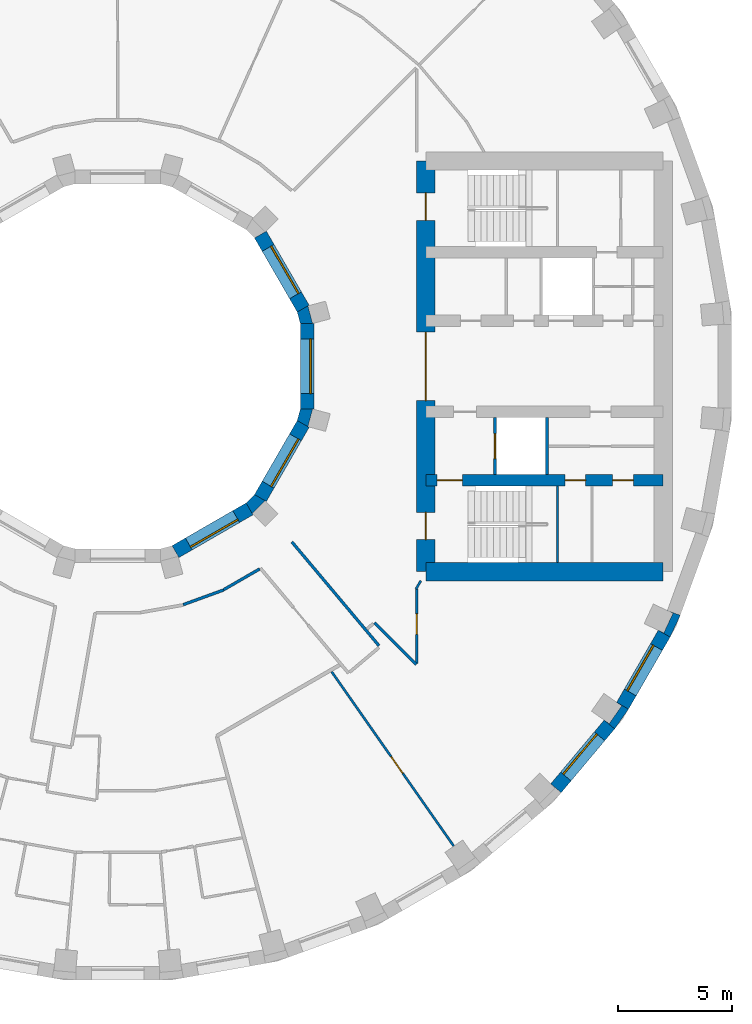
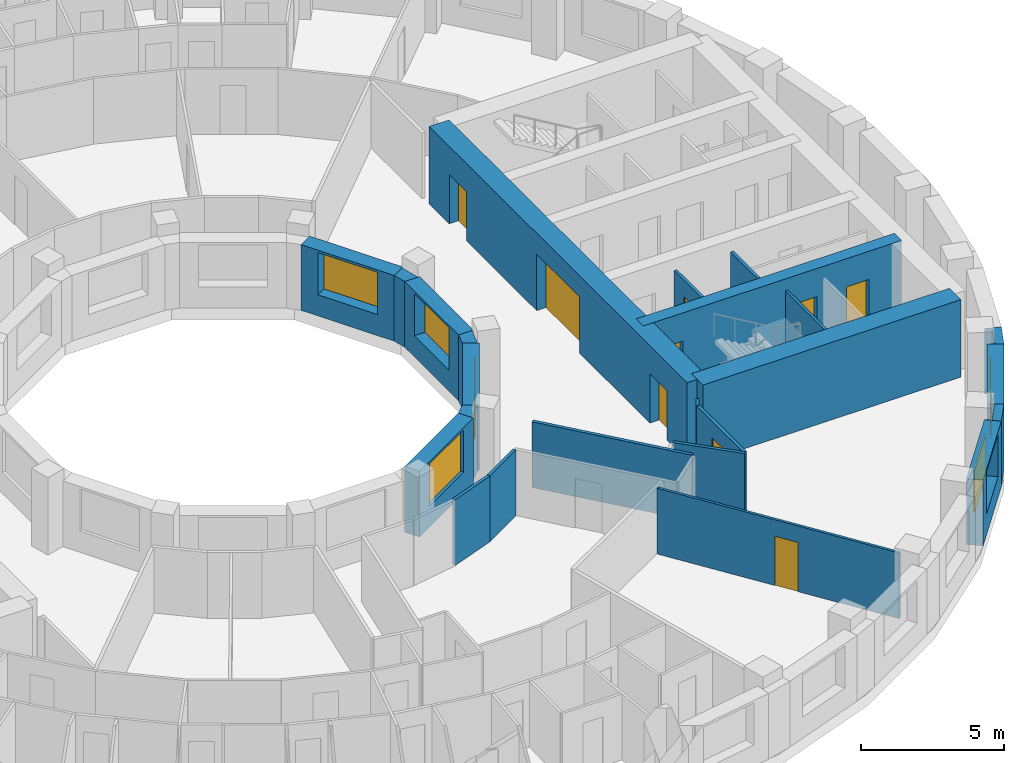
# One storey, part 6 of 13: 24 walls, 9 doors, 6 windows, 15 openings.
"""IFC4 building model written with IfcOpenShell, lengths in metres."""

from ifc_helpers import new_model, si_unit, direction, frame, frame_2d, origin, place, context, subcontext, project, spatial, polyline, rectangle, outline, extrude, material, layer, layer_set, type_object, element, fill, save


model = new_model("IFC4")

# Units and contexts
model_context = context("Model", 3, precision=1e-05, world=origin(), true_north=direction((0.0, 1.0)))
body_context = subcontext(model_context, "Body", "Model", "MODEL_VIEW")
ifc_project = project(units=[si_unit("LENGTHUNIT", "METRE"), si_unit("AREAUNIT", "SQUARE_METRE"), si_unit("VOLUMEUNIT", "CUBIC_METRE"), si_unit("PLANEANGLEUNIT", "RADIAN"), si_unit("MASSUNIT", "GRAM", prefix="KILO")], contexts=[model_context])

# Site, building, storey
site_placement = place(None, origin())
site = spatial("IfcSite", under=ifc_project, at=site_placement, CompositionType="ELEMENT")
building_placement = place(site_placement, origin())
building = spatial("IfcBuilding", under=site, at=building_placement, Name="Saqina Gate Tower", CompositionType="ELEMENT")
storey_placement = place(building_placement, frame((0.0, 0.0, 118.300048828125)))
storey = spatial("IfcBuildingStorey", under=building, at=storey_placement, Name="L33", CompositionType="ELEMENT", Elevation=118.300048828125)

# Walls
ifc_material_1 = material(Name="Brick masonry (buff)", Category="masonry")
wall_type_1 = type_object("IfcWallType", Name="BRICK PIER COPING BUFF", PredefinedType="SOLIDWALL", material=ifc_material_1)
wall_1_placement = place(storey_placement, origin())
element("IfcWall", 1, at=wall_1_placement, inside=storey, type_object=wall_type_1, Name="Pier cap L33 column 33", PredefinedType="SOLIDWALL", context=body_context, shape_type="SweptSolid", body=[
    extrude(outline(polyline([(22.3818359375, -15.0283203125), (21.862060546875, -14.728271484375), (22.08251953125, -14.88232421875), (21.53759765625, -15.66064453125), (21.317138671875, -15.50634765625), (21.77685546875, -15.89208984375), (22.3818359375, -15.0283203125)])), origin(), (0.0, 0.0, 1.0), 2.800048828125),
])
wall_2_placement = place(storey_placement, origin())
element("IfcWall", 2, at=wall_2_placement, inside=storey, type_object=wall_type_1, Name="Pier cap L33 column 34", PredefinedType="SOLIDWALL", context=body_context, shape_type="SweptSolid", body=[
    extrude(outline(polyline([(24.6513671875, -10.913330078125), (24.08740234375, -10.7080078125), (24.331298828125, -10.82177734375), (23.9296875, -11.6826171875), (23.68603515625, -11.569091796875), (24.205810546875, -11.869140625), (24.6513671875, -10.913330078125)])), origin(), (0.0, 0.0, 1.0), 2.800048828125),
])

# Wall, opening, window
ifc_material_2 = material(Name="Brick masonry (buff)", Category="masonry")
ifc_layer_1 = layer(ifc_material_2, 0.60009765625)
ifc_layer_set_1 = layer_set([ifc_layer_1], Name="FW-BRICK-BUFF")
wall_type_2 = type_object("IfcWallType", Name="FW-BRICK-BUFF", PredefinedType="SOLIDWALL", material=ifc_layer_set_1)
wall_3_placement = place(storey_placement, frame((19.202392578125, -18.49365234375, 0.0), z_axis=(0.0, 0.0, 1.0), x_axis=(0.642774476932, 0.766055462616, 0.0)))
wall_3 = element("IfcWall", 3, at=wall_3_placement, inside=storey, type_object=wall_type_2, Name="Facade wall L33 facet 32", PredefinedType="SOLIDWALL", context=body_context, shape_type="SweptSolid", body=[
    extrude(rectangle(XDim=3.647705078125, YDim=0.60009765625, at=frame_2d((1.82373046875, 0.0))), origin(), (0.0, 0.0, 1.0), 2.800048828125),
])
opening_1_placement = place(wall_3_placement, frame((0.673828125, 0.0, 0.89990234375)))
opening_1 = element("IfcOpeningElement", 4, at=opening_1_placement, cuts=wall_3, Name="Opening G09-W24", PredefinedType="OPENING", context=body_context, shape_type="SweptSolid", body=[
    extrude(rectangle(XDim=2.300048828125, YDim=1.800048828125, at=frame_2d((1.14990234375, 0.89990234375))), frame((0.0, 0.31201171875, 0.0), z_axis=(0.0, -1.0, 0.0), x_axis=(1.0, 0.0, 0.0)), (0.0, 0.0, 1.0), 0.6240234375),
])
ifc_material_3 = material(Name="Aluminium glazing", Category="aluminium")
window_type_1 = type_object("IfcWindowType", Name="WN-B", PartitioningType="SINGLE_PANEL", PredefinedType="WINDOW", material=ifc_material_3)
window_1_placement = place(opening_1_placement, origin())
window_1 = element("IfcWindow", 5, at=window_1_placement, inside=storey, type_object=window_type_1, Name="Window L33 facet 32", OverallHeight=1.800048828125, OverallWidth=2.300048828125, PartitioningType="SINGLE_PANEL", PredefinedType="WINDOW", context=body_context, shape_type="SweptSolid", body=[
    extrude(rectangle(XDim=2.300048828125, YDim=1.800048828125, at=frame_2d((1.14990234375, 0.89990234375))), frame((0.0, 0.179931640625, 0.0), z_axis=(0.0, -1.0, 0.0), x_axis=(1.0, 0.0, 0.0)), (0.0, 0.0, 1.0), 0.06005859375),
])
fill(opening_1, window_1)

wall_4_placement = place(storey_placement, frame((22.1220703125, -14.878173828125, 0.0), z_axis=(0.0, 0.0, 1.0), x_axis=(0.499954196102, 0.866051847062, 0.0)))
wall_4 = element("IfcWall", 6, at=wall_4_placement, inside=storey, type_object=wall_type_2, Name="Facade wall L33 facet 33", PredefinedType="SOLIDWALL", context=body_context, shape_type="SweptSolid", body=[
    extrude(rectangle(XDim=3.647705078125, YDim=0.60009765625, at=frame_2d((1.82373046875, 0.0))), origin(), (0.0, 0.0, 1.0), 2.800048828125),
])
opening_2_placement = place(wall_4_placement, frame((0.673828125, 0.0, 0.89990234375)))
opening_2 = element("IfcOpeningElement", 7, at=opening_2_placement, cuts=wall_4, Name="Opening G09-W25", PredefinedType="OPENING", context=body_context, shape_type="SweptSolid", body=[
    extrude(rectangle(XDim=2.300048828125, YDim=1.800048828125, at=frame_2d((1.14990234375, 0.89990234375))), frame((0.0, 0.31201171875, 0.0), z_axis=(0.0, -1.0, 0.0), x_axis=(1.0, 0.0, 0.0)), (0.0, 0.0, 1.0), 0.6240234375),
])
window_2_placement = place(opening_2_placement, origin())
window_2 = element("IfcWindow", 8, at=window_2_placement, inside=storey, type_object=window_type_1, Name="Window L33 facet 33", OverallHeight=1.800048828125, OverallWidth=2.300048828125, PartitioningType="SINGLE_PANEL", PredefinedType="WINDOW", context=body_context, shape_type="SweptSolid", body=[
    extrude(rectangle(XDim=2.300048828125, YDim=1.800048828125, at=frame_2d((1.14990234375, 0.89990234375))), frame((0.0, 0.179931640625, 0.0), z_axis=(0.0, -1.0, 0.0), x_axis=(1.0, 0.0, 0.0)), (0.0, 0.0, 1.0), 0.06005859375),
])
fill(opening_2, window_2)

ifc_material_4 = material(Name="Glazed ceramic tile", Category="ceramic")
ifc_layer_2 = layer(ifc_material_4, 0.60009765625)
ifc_layer_set_2 = layer_set([ifc_layer_2], Name="IW-TILE")
wall_type_3 = type_object("IfcWallType", Name="IW-TILE", PredefinedType="SOLIDWALL", material=ifc_layer_set_2)
wall_5_placement = place(storey_placement, frame((8.124755859375, 2.52734375, 0.0), z_axis=(0.0, 0.0, 1.0), x_axis=(-0.499964958637, 0.86604563398, 0.0)))
wall_5 = element("IfcWall", 9, at=wall_5_placement, inside=storey, type_object=wall_type_3, Name="Well wall L33 facet 1", PredefinedType="SOLIDWALL", context=body_context, shape_type="SweptSolid", body=[
    extrude(rectangle(XDim=3.747314453125, YDim=0.60009765625, at=frame_2d((1.87353515625, 0.0))), origin(), (0.0, 0.0, 1.0), 2.800048828125),
])
opening_3_placement = place(wall_5_placement, frame((0.673583984375, 0.0, 0.89990234375)))
opening_3 = element("IfcOpeningElement", 10, at=opening_3_placement, cuts=wall_5, Name="Opening G09-W26", PredefinedType="OPENING", context=body_context, shape_type="SweptSolid", body=[
    extrude(rectangle(XDim=2.39990234375, YDim=1.800048828125, at=frame_2d((1.199951171875, 0.89990234375))), frame((0.0, 0.31201171875, 0.0), z_axis=(0.0, -1.0, 0.0), x_axis=(1.0, 0.0, 0.0)), (0.0, 0.0, 1.0), 0.6240234375),
])
ifc_material_5 = material(Name="Aluminium glazing", Category="aluminium")
window_type_2 = type_object("IfcWindowType", Name="WN-W", PartitioningType="SINGLE_PANEL", PredefinedType="WINDOW", material=ifc_material_5)
window_3_placement = place(opening_3_placement, origin())
window_3 = element("IfcWindow", 11, at=window_3_placement, inside=storey, type_object=window_type_2, Name="Well window L33 facet 1", OverallHeight=1.800048828125, OverallWidth=2.39990234375, PartitioningType="SINGLE_PANEL", PredefinedType="WINDOW", context=body_context, shape_type="SweptSolid", body=[
    extrude(rectangle(XDim=2.39990234375, YDim=1.800048828125, at=frame_2d((1.199951171875, 0.89990234375))), frame((0.0, -0.119873046875, 0.0), z_axis=(0.0, -1.0, 0.0), x_axis=(1.0, 0.0, 0.0)), (0.0, 0.0, 1.0), 0.06005859375),
])
fill(opening_3, window_3)

wall_6_placement = place(storey_placement, frame((2.52734375, -8.124755859375, 0.0), z_axis=(0.0, 0.0, 1.0), x_axis=(0.86604563398, 0.499964958637, 0.0)))
wall_6 = element("IfcWall", 12, at=wall_6_placement, inside=storey, type_object=wall_type_3, Name="Well wall L33 facet 10", PredefinedType="SOLIDWALL", context=body_context, shape_type="SweptSolid", body=[
    extrude(rectangle(XDim=3.747314453125, YDim=0.60009765625, at=frame_2d((1.87353515625, 0.0))), origin(), (0.0, 0.0, 1.0), 2.800048828125),
])
opening_4_placement = place(wall_6_placement, frame((0.673583984375, 0.0, 0.89990234375)))
opening_4 = element("IfcOpeningElement", 13, at=opening_4_placement, cuts=wall_6, Name="Opening G09-W35", PredefinedType="OPENING", context=body_context, shape_type="SweptSolid", body=[
    extrude(rectangle(XDim=2.39990234375, YDim=1.800048828125, at=frame_2d((1.199951171875, 0.89990234375))), frame((0.0, 0.31201171875, 0.0), z_axis=(0.0, -1.0, 0.0), x_axis=(1.0, 0.0, 0.0)), (0.0, 0.0, 1.0), 0.6240234375),
])
window_4_placement = place(opening_4_placement, origin())
window_4 = element("IfcWindow", 14, at=window_4_placement, inside=storey, type_object=window_type_2, Name="Well window L33 facet 10", OverallHeight=1.800048828125, OverallWidth=2.39990234375, PartitioningType="SINGLE_PANEL", PredefinedType="WINDOW", context=body_context, shape_type="SweptSolid", body=[
    extrude(rectangle(XDim=2.39990234375, YDim=1.800048828125, at=frame_2d((1.199951171875, 0.89990234375))), frame((0.0, -0.119873046875, 0.0), z_axis=(0.0, -1.0, 0.0), x_axis=(1.0, 0.0, 0.0)), (0.0, 0.0, 1.0), 0.06005859375),
])
fill(opening_4, window_4)

wall_7_placement = place(storey_placement, frame((6.251220703125, -5.772705078125, 0.0), z_axis=(0.0, 0.0, 1.0), x_axis=(0.499964958637, 0.86604563398, 0.0)))
wall_7 = element("IfcWall", 15, at=wall_7_placement, inside=storey, type_object=wall_type_3, Name="Well wall L33 facet 11", PredefinedType="SOLIDWALL", context=body_context, shape_type="SweptSolid", body=[
    extrude(rectangle(XDim=3.747314453125, YDim=0.60009765625, at=frame_2d((1.87353515625, 0.0))), origin(), (0.0, 0.0, 1.0), 2.800048828125),
])
opening_5_placement = place(wall_7_placement, frame((0.673583984375, 0.0, 0.89990234375)))
opening_5 = element("IfcOpeningElement", 16, at=opening_5_placement, cuts=wall_7, Name="Opening G09-W36", PredefinedType="OPENING", context=body_context, shape_type="SweptSolid", body=[
    extrude(rectangle(XDim=2.39990234375, YDim=1.800048828125, at=frame_2d((1.199951171875, 0.89990234375))), frame((0.0, 0.31201171875, 0.0), z_axis=(0.0, -1.0, 0.0), x_axis=(1.0, 0.0, 0.0)), (0.0, 0.0, 1.0), 0.6240234375),
])
window_5_placement = place(opening_5_placement, origin())
window_5 = element("IfcWindow", 17, at=window_5_placement, inside=storey, type_object=window_type_2, Name="Well window L33 facet 11", OverallHeight=1.800048828125, OverallWidth=2.39990234375, PartitioningType="SINGLE_PANEL", PredefinedType="WINDOW", context=body_context, shape_type="SweptSolid", body=[
    extrude(rectangle(XDim=2.39990234375, YDim=1.800048828125, at=frame_2d((1.199951171875, 0.89990234375))), frame((0.0, -0.119873046875, 0.0), z_axis=(0.0, -1.0, 0.0), x_axis=(1.0, 0.0, 0.0)), (0.0, 0.0, 1.0), 0.06005859375),
])
fill(opening_5, window_5)

wall_8_placement = place(storey_placement, frame((8.300048828125, -1.873779296875, 0.0), z_axis=(0.0, 0.0, 1.0), x_axis=(0.0, 1.0, 0.0)))
wall_8 = element("IfcWall", 18, at=wall_8_placement, inside=storey, type_object=wall_type_3, Name="Well wall L33 facet 12", PredefinedType="SOLIDWALL", context=body_context, shape_type="SweptSolid", body=[
    extrude(rectangle(XDim=3.74755859375, YDim=0.60009765625, at=frame_2d((1.873779296875, 0.0))), origin(), (0.0, 0.0, 1.0), 2.800048828125),
])
opening_6_placement = place(wall_8_placement, frame((0.673583984375, 0.0, 0.89990234375)))
opening_6 = element("IfcOpeningElement", 19, at=opening_6_placement, cuts=wall_8, Name="Opening G09-W37", PredefinedType="OPENING", context=body_context, shape_type="SweptSolid", body=[
    extrude(rectangle(XDim=2.39990234375, YDim=1.800048828125, at=frame_2d((1.199951171875, 0.89990234375))), frame((0.0, 0.31201171875, 0.0), z_axis=(0.0, -1.0, 0.0), x_axis=(1.0, 0.0, 0.0)), (0.0, 0.0, 1.0), 0.6240234375),
])
window_6_placement = place(opening_6_placement, origin())
window_6 = element("IfcWindow", 20, at=window_6_placement, inside=storey, type_object=window_type_2, Name="Well window L33 facet 12", OverallHeight=1.800048828125, OverallWidth=2.39990234375, PartitioningType="SINGLE_PANEL", PredefinedType="WINDOW", context=body_context, shape_type="SweptSolid", body=[
    extrude(rectangle(XDim=2.39990234375, YDim=1.800048828125, at=frame_2d((1.199951171875, 0.89990234375))), frame((0.0, -0.119873046875, 0.0), z_axis=(0.0, -1.0, 0.0), x_axis=(1.0, 0.0, 0.0)), (0.0, 0.0, 1.0), 0.06005859375),
])
fill(opening_6, window_6)

# Wall, opening, door
ifc_material_6 = material(Name="Gypsum board on steel studs, 100 mm", Category="steel")
ifc_layer_3 = layer(ifc_material_6, 0.10009765625)
ifc_layer_set_3 = layer_set([ifc_layer_3], Name="PARTITION 100")
wall_type_4 = type_object("IfcWallType", Name="PARTITION 100", PredefinedType="PARTITIONING", material=ifc_layer_set_3)
wall_9_placement = place(storey_placement, frame((9.371337890625, -13.384521484375, 0.0), z_axis=(0.0, 0.0, 1.0), x_axis=(0.573555460551, -0.819166731302, 0.0)))
wall_9 = element("IfcWall", 21, at=wall_9_placement, inside=storey, type_object=wall_type_4, Name="PARTITION PW3-17", PredefinedType="PARTITIONING", context=body_context, shape_type="SweptSolid", body=[
    extrude(rectangle(XDim=9.325927734375, YDim=0.10009765625, at=frame_2d((4.6630859375, 0.0))), origin(), (0.0, 0.0, 1.0), 2.800048828125),
])
opening_7_placement = place(wall_9_placement, frame((4.540771484375, 0.0, 0.0)))
opening_7 = element("IfcOpeningElement", 22, at=opening_7_placement, cuts=wall_9, Name="Opening G09-D50", PredefinedType="OPENING", context=body_context, shape_type="SweptSolid", body=[
    extrude(rectangle(XDim=0.89990234375, YDim=2.10009765625, at=frame_2d((0.449951171875, 1.050048828125))), frame((0.0, 0.06201171875, 0.0), z_axis=(0.0, -1.0, 0.0), x_axis=(1.0, 0.0, 0.0)), (0.0, 0.0, 1.0), 0.1240234375),
])
ifc_material_7 = material(Name="Timber door leaf, 900 mm", Category="wood")
door_type_1 = type_object("IfcDoorType", Name="DOOR 900 TIMBER", OperationType="SINGLE_SWING_LEFT", PredefinedType="DOOR", material=ifc_material_7)
door_1_placement = place(opening_7_placement, origin())
door_1 = element("IfcDoor", 23, at=door_1_placement, inside=storey, type_object=door_type_1, Name="DOOR G09-D50", OperationType="SINGLE_SWING_RIGHT", OverallHeight=2.10009765625, OverallWidth=0.89990234375, PredefinedType="DOOR", context=body_context, shape_type="SweptSolid", body=[
    extrude(rectangle(XDim=0.89990234375, YDim=2.10009765625, at=frame_2d((0.449951171875, 1.050048828125))), frame((0.0, 0.02490234375, 0.0), z_axis=(0.0, -1.0, 0.0), x_axis=(1.0, 0.0, 0.0)), (0.0, 0.0, 1.0), 0.050048828125),
])
fill(opening_7, door_1)

# Walls
wall_10_placement = place(storey_placement, frame((13.071044921875, -9.760009765625, 0.0), z_axis=(0.0, 0.0, 1.0), x_axis=(0.500179786662, 0.865921579021, 0.0)))
element("IfcWall", 24, at=wall_10_placement, inside=storey, type_object=wall_type_4, Name="PARTITION PW3-87", PredefinedType="PARTITIONING", context=body_context, shape_type="SweptSolid", body=[
    extrude(rectangle(XDim=0.415771484375, YDim=0.10009765625, at=frame_2d((0.2080078125, 0.0))), origin(), (0.0, 0.0, 1.0), 2.800048828125),
])
ifc_material_8 = material(Name="Gypsum board on steel studs, 125 mm, fire rated", Category="steel")
ifc_layer_4 = layer(ifc_material_8, 0.125)
ifc_layer_set_4 = layer_set([ifc_layer_4], Name="PARTITION EI 30 125")
wall_type_5 = type_object("IfcWallType", Name="PARTITION EI 30 125", PredefinedType="PARTITIONING", material=ifc_layer_set_4)
wall_11_placement = place(storey_placement, frame((7.628662109375, -7.69775390625, 0.0), z_axis=(0.0, 0.0, 1.0), x_axis=(0.642971202284, -0.76589035314, 0.0)))
element("IfcWall", 25, at=wall_11_placement, inside=storey, type_object=wall_type_5, Name="PARTITION PW1-05", PredefinedType="PARTITIONING", context=body_context, shape_type="SweptSolid", body=[
    extrude(rectangle(XDim=5.936767578125, YDim=0.125, at=frame_2d((2.96826171875, 0.0))), origin(), (0.0, 0.0, 1.0), 2.800048828125),
])
wall_12_placement = place(storey_placement, frame((11.240966796875, -11.239013671875, 0.0), z_axis=(0.0, 0.0, 1.0), x_axis=(0.707106781187, -0.707106781187, 0.0)))
element("IfcWall", 26, at=wall_12_placement, inside=storey, type_object=wall_type_5, Name="PARTITION PW1-07", PredefinedType="PARTITIONING", context=body_context, shape_type="SweptSolid", body=[
    extrude(rectangle(XDim=2.590576171875, YDim=0.125, at=frame_2d((1.29541015625, 0.0))), origin(), (0.0, 0.0, 1.0), 2.800048828125),
])
wall_13_placement = place(storey_placement, frame((2.86376953125, -10.44873046875, 0.0), z_axis=(0.0, 0.0, 1.0), x_axis=(0.939733090163, 0.341908934151, 0.0)))
element("IfcWall", 27, at=wall_13_placement, inside=storey, type_object=wall_type_5, Name="PARTITION PW1-31", PredefinedType="PARTITIONING", context=body_context, shape_type="SweptSolid", body=[
    extrude(rectangle(XDim=1.890869140625, YDim=0.125, at=frame_2d((0.9453125, 0.0))), origin(), (0.0, 0.0, 1.0), 2.800048828125),
])
wall_14_placement = place(storey_placement, frame((4.63623046875, -9.794677734375, 0.0), z_axis=(0.0, 0.0, 1.0), x_axis=(0.865889515344, 0.500235291855, 0.0)))
element("IfcWall", 28, at=wall_14_placement, inside=storey, type_object=wall_type_5, Name="PARTITION PW1-35", PredefinedType="PARTITIONING", context=body_context, shape_type="SweptSolid", body=[
    extrude(rectangle(XDim=1.82666015625, YDim=0.125, at=frame_2d((0.913330078125, 0.0))), origin(), (0.0, 0.0, 1.0), 2.800048828125),
])

# Wall, opening, door
wall_15_placement = place(storey_placement, frame((13.10009765625, -13.03662109375, 0.0), z_axis=(0.0, 0.0, 1.0), x_axis=(0.0, 1.0, 0.0)))
wall_15 = element("IfcWall", 29, at=wall_15_placement, inside=storey, type_object=wall_type_5, Name="PARTITION PW1-49", PredefinedType="PARTITIONING", context=body_context, shape_type="SweptSolid", body=[
    extrude(rectangle(XDim=3.276611328125, YDim=0.125, at=frame_2d((1.63818359375, 0.0))), origin(), (0.0, 0.0, 1.0), 2.800048828125),
])
opening_8_placement = place(wall_15_placement, frame((1.281982421875, 0.0, 0.0)))
opening_8 = element("IfcOpeningElement", 30, at=opening_8_placement, cuts=wall_15, Name="Opening G09-D52", PredefinedType="OPENING", context=body_context, shape_type="SweptSolid", body=[
    extrude(rectangle(XDim=0.89990234375, YDim=2.10009765625, at=frame_2d((0.449951171875, 1.050048828125))), frame((0.0, 0.074462890625, 0.0), z_axis=(0.0, -1.0, 0.0), x_axis=(1.0, 0.0, 0.0)), (0.0, 0.0, 1.0), 0.14892578125),
])
ifc_material_9 = material(Name="Fire door leaf EI 30, 900 mm")
door_type_2 = type_object("IfcDoorType", Name="DOOR 900 EI 30", OperationType="SINGLE_SWING_LEFT", PredefinedType="DOOR", material=ifc_material_9)
door_2_placement = place(opening_8_placement, origin())
door_2 = element("IfcDoor", 31, at=door_2_placement, inside=storey, type_object=door_type_2, Name="DOOR G09-D52", OperationType="SINGLE_SWING_LEFT", OverallHeight=2.10009765625, OverallWidth=0.89990234375, PredefinedType="DOOR", context=body_context, shape_type="SweptSolid", body=[
    extrude(rectangle(XDim=0.89990234375, YDim=2.10009765625, at=frame_2d((0.449951171875, 1.050048828125))), frame((0.0, 0.02490234375, 0.0), z_axis=(0.0, -1.0, 0.0), x_axis=(1.0, 0.0, 0.0)), (0.0, 0.0, 1.0), 0.050048828125),
])
fill(opening_8, door_2)

ifc_material_10 = material(Name="Autoclaved aerated concrete block", Category="concrete")
ifc_layer_5 = layer(ifc_material_10, 0.1201171875)
ifc_layer_set_5 = layer_set([ifc_layer_5], Name="SHAFT PARTITION")
wall_type_6 = type_object("IfcWallType", Name="SHAFT PARTITION", PredefinedType="PARTITIONING", material=ifc_layer_set_5)
wall_16_placement = place(storey_placement, frame((16.530029296875, -4.75, 0.0), z_axis=(0.0, 0.0, 1.0), x_axis=(0.0, 1.0, 0.0)))
wall_16 = element("IfcWall", 32, at=wall_16_placement, inside=storey, type_object=wall_type_6, Name="L33-CP-E05", PredefinedType="PARTITIONING", context=body_context, shape_type="SweptSolid", body=[
    extrude(rectangle(XDim=2.5, YDim=0.1201171875, at=frame_2d((1.25, 0.0))), origin(), (0.0, 0.0, 1.0), 2.800048828125),
])
opening_9_placement = place(wall_16_placement, frame((0.699951171875, 0.0, 0.0)))
opening_9 = element("IfcOpeningElement", 33, at=opening_9_placement, cuts=wall_16, Name="Opening G09-LD2", PredefinedType="OPENING", context=body_context, shape_type="SweptSolid", body=[
    extrude(rectangle(XDim=1.10009765625, YDim=2.10009765625, at=frame_2d((0.550048828125, 1.050048828125))), frame((0.0, 0.072021484375, 0.0), z_axis=(0.0, -1.0, 0.0), x_axis=(1.0, 0.0, 0.0)), (0.0, 0.0, 1.0), 0.14404296875),
])
ifc_material_11 = material(Name="Stainless steel", Category="steel")
door_type_3 = type_object("IfcDoorType", Name="LANDING DOOR", OperationType="DOUBLE_DOOR_SLIDING", PredefinedType="DOOR", material=ifc_material_11)
door_3_placement = place(opening_9_placement, origin())
door_3 = element("IfcDoor", 34, at=door_3_placement, inside=storey, type_object=door_type_3, Name="LANDING DOOR FF1", OperationType="DOUBLE_DOOR_SLIDING", OverallHeight=2.10009765625, OverallWidth=1.10009765625, PredefinedType="DOOR", context=body_context, shape_type="SweptSolid", body=[
    extrude(rectangle(XDim=1.10009765625, YDim=2.10009765625, at=frame_2d((0.550048828125, 1.050048828125))), frame((0.0, 0.02490234375, 0.0), z_axis=(0.0, -1.0, 0.0), x_axis=(1.0, 0.0, 0.0)), (0.0, 0.0, 1.0), 0.050048828125),
])
fill(opening_9, door_3)

# Walls
wall_17_placement = place(storey_placement, frame((18.81005859375, -4.75, 0.0), z_axis=(0.0, 0.0, 1.0), x_axis=(0.0, 1.0, 0.0)))
element("IfcWall", 35, at=wall_17_placement, inside=storey, type_object=wall_type_6, Name="L33-CP-E06", PredefinedType="PARTITIONING", context=body_context, shape_type="SweptSolid", body=[
    extrude(rectangle(XDim=2.5, YDim=0.1201171875, at=frame_2d((1.25, 0.0))), origin(), (0.0, 0.0, 1.0), 2.800048828125),
])
ifc_material_12 = material(Name="Autoclaved aerated concrete block", Category="concrete")
ifc_layer_6 = layer(ifc_material_12, 0.10009765625)
ifc_layer_set_6 = layer_set([ifc_layer_6], Name="STAIR ENCLOSURE WALL")
wall_type_7 = type_object("IfcWallType", Name="STAIR ENCLOSURE WALL", PredefinedType="PARTITIONING", material=ifc_layer_set_6)
wall_18_placement = place(storey_placement, frame((19.27001953125, -8.60009765625, 0.0), z_axis=(0.0, 0.0, 1.0), x_axis=(0.0, 1.0, 0.0)))
element("IfcWall", 36, at=wall_18_placement, inside=storey, type_object=wall_type_7, Name="L33-CP-E12", PredefinedType="PARTITIONING", context=body_context, shape_type="SweptSolid", body=[
    extrude(rectangle(XDim=3.35009765625, YDim=0.10009765625, at=frame_2d((1.675048828125, 0.0))), origin(), (0.0, 0.0, 1.0), 2.800048828125),
])

# Wall, openings, doors
ifc_material_13 = material(Name="Concrete C70/85", Category="concrete")
ifc_layer_7 = layer(ifc_material_13, 0.5)
ifc_layer_set_7 = layer_set([ifc_layer_7], Name="Concrete C70/85")
wall_type_8 = type_object("IfcWallType", Name="STR-CORE WALL-B-I", PredefinedType="SHEAR", material=ifc_layer_set_7)
wall_19_placement = place(storey_placement, frame((13.5, -5.0, 0.0), z_axis=(0.0, 0.0, 1.0), x_axis=(1.0, 0.0, 0.0)))
wall_19 = element("IfcWall", 37, at=wall_19_placement, inside=storey, type_object=wall_type_8, Name="CORE WALL L33 E-X2", PredefinedType="SHEAR", context=body_context, shape_type="SweptSolid", body=[
    extrude(rectangle(XDim=10.39990234375, YDim=0.5, at=frame_2d((5.199951171875, 0.0))), origin(), (0.0, 0.0, 1.0), 3.300048828125),
])
opening_10_placement = place(wall_19_placement, frame((6.1015625, 0.0, 0.0)))
opening_10 = element("IfcOpeningElement", 38, at=opening_10_placement, cuts=wall_19, Name="Opening G09-D101", PredefinedType="OPENING", context=body_context, shape_type="SweptSolid", body=[
    extrude(rectangle(XDim=0.89990234375, YDim=2.10009765625, at=frame_2d((0.449951171875, 1.050048828125))), frame((0.0, 0.261962890625, 0.0), z_axis=(0.0, -1.0, 0.0), x_axis=(1.0, 0.0, 0.0)), (0.0, 0.0, 1.0), 0.52392578125),
])
opening_11_placement = place(wall_19_placement, frame((8.19140625, 0.0, 0.0)))
opening_11 = element("IfcOpeningElement", 39, at=opening_11_placement, cuts=wall_19, Name="Opening G09-D102", PredefinedType="OPENING", context=body_context, shape_type="SweptSolid", body=[
    extrude(rectangle(XDim=0.89990234375, YDim=2.10009765625, at=frame_2d((0.449951171875, 1.050048828125))), frame((0.0, 0.261962890625, 0.0), z_axis=(0.0, -1.0, 0.0), x_axis=(1.0, 0.0, 0.0)), (0.0, 0.0, 1.0), 0.52392578125),
])
opening_12_placement = place(wall_19_placement, frame((0.5, 0.0, 0.0)))
opening_12 = element("IfcOpeningElement", 40, at=opening_12_placement, cuts=wall_19, Name="Opening G09-D103", PredefinedType="OPENING", context=body_context, shape_type="SweptSolid", body=[
    extrude(rectangle(XDim=1.10009765625, YDim=2.10009765625, at=frame_2d((0.550048828125, 1.050048828125))), frame((0.0, 0.261962890625, 0.0), z_axis=(0.0, -1.0, 0.0), x_axis=(1.0, 0.0, 0.0)), (0.0, 0.0, 1.0), 0.52392578125),
])
ifc_material_14 = material(Name="Steel", Category="steel")
door_type_4 = type_object("IfcDoorType", Name="FIRE LOBBY DOOR EI 60 WIDE", OperationType="SINGLE_SWING_LEFT", PredefinedType="DOOR", material=ifc_material_14)
door_4_placement = place(opening_12_placement, frame((1.10009765625, 0.0, 0.0), z_axis=(0.0, 0.0, 1.0), x_axis=(-1.0, 0.0, 0.0)))
door_4 = element("IfcDoor", 41, at=door_4_placement, inside=storey, type_object=door_type_4, Name="L33-CD-E14", OperationType="SINGLE_SWING_RIGHT", OverallHeight=2.10009765625, OverallWidth=1.10009765625, PredefinedType="DOOR", context=body_context, shape_type="SweptSolid", body=[
    extrude(rectangle(XDim=1.10009765625, YDim=2.10009765625, at=frame_2d((0.550048828125, 1.050048828125))), frame((0.0, 0.02490234375, 0.0), z_axis=(0.0, -1.0, 0.0), x_axis=(1.0, 0.0, 0.0)), (0.0, 0.0, 1.0), 0.050048828125),
])
fill(opening_12, door_4)
ifc_material_15 = material(Name="Steel-framed fire door leaf, EI 60", Category="steel")
door_type_5 = type_object("IfcDoorType", Name="SERVICE ROOM DOOR 900", OperationType="SINGLE_SWING_LEFT", PredefinedType="DOOR", material=ifc_material_15)
door_5_placement = place(opening_10_placement, origin())
door_5 = element("IfcDoor", 42, at=door_5_placement, inside=storey, type_object=door_type_5, Name="L33-CD-E12", OperationType="SINGLE_SWING_RIGHT", OverallHeight=2.10009765625, OverallWidth=0.89990234375, PredefinedType="DOOR", context=body_context, shape_type="SweptSolid", body=[
    extrude(rectangle(XDim=0.89990234375, YDim=2.10009765625, at=frame_2d((0.449951171875, 1.050048828125))), frame((0.0, 0.02490234375, 0.0), z_axis=(0.0, -1.0, 0.0), x_axis=(1.0, 0.0, 0.0)), (0.0, 0.0, 1.0), 0.050048828125),
])
fill(opening_10, door_5)
door_6_placement = place(opening_11_placement, frame((0.89990234375, 0.0, 0.0), z_axis=(0.0, 0.0, 1.0), x_axis=(-1.0, 0.0, 0.0)))
door_6 = element("IfcDoor", 43, at=door_6_placement, inside=storey, type_object=door_type_5, Name="L33-CD-E13", OperationType="SINGLE_SWING_LEFT", OverallHeight=2.10009765625, OverallWidth=0.89990234375, PredefinedType="DOOR", context=body_context, shape_type="SweptSolid", body=[
    extrude(rectangle(XDim=0.89990234375, YDim=2.10009765625, at=frame_2d((0.449951171875, 1.050048828125))), frame((0.0, 0.02490234375, 0.0), z_axis=(0.0, -1.0, 0.0), x_axis=(1.0, 0.0, 0.0)), (0.0, 0.0, 1.0), 0.050048828125),
])
fill(opening_11, door_6)

ifc_material_16 = material(Name="Concrete C70/85", Category="concrete")
ifc_layer_8 = layer(ifc_material_16, 0.800048828125)
ifc_layer_set_8 = layer_set([ifc_layer_8], Name="Concrete C70/85")
wall_type_9 = type_object("IfcWallType", Name="STR-CORE WALL-B-O", PredefinedType="SHEAR", material=ifc_layer_set_8)
wall_20_placement = place(storey_placement, frame((13.5, -9.0, 0.0), z_axis=(0.0, 0.0, 1.0), x_axis=(0.0, 1.0, 0.0)))
wall_20 = element("IfcWall", 44, at=wall_20_placement, inside=storey, type_object=wall_type_9, Name="CORE WALL L33 E-W1", PredefinedType="SHEAR", context=body_context, shape_type="SweptSolid", body=[
    extrude(rectangle(XDim=18.0, YDim=0.800048828125, at=frame_2d((9.0, 0.0))), origin(), (0.0, 0.0, 1.0), 3.300048828125),
])
opening_13_placement = place(wall_20_placement, frame((15.39990234375, 0.0, 0.0)))
opening_13 = element("IfcOpeningElement", 45, at=opening_13_placement, cuts=wall_20, Name="Opening G09-D104", PredefinedType="OPENING", context=body_context, shape_type="SweptSolid", body=[
    extrude(rectangle(XDim=1.199951171875, YDim=2.10009765625, at=frame_2d((0.60009765625, 1.050048828125))), frame((0.0, 0.412109375, 0.0), z_axis=(0.0, -1.0, 0.0), x_axis=(1.0, 0.0, 0.0)), (0.0, 0.0, 1.0), 0.823974609375),
])
opening_14_placement = place(wall_20_placement, frame((1.39990234375, 0.0, 0.0)))
opening_14 = element("IfcOpeningElement", 46, at=opening_14_placement, cuts=wall_20, Name="Opening G09-D105", PredefinedType="OPENING", context=body_context, shape_type="SweptSolid", body=[
    extrude(rectangle(XDim=1.199951171875, YDim=2.10009765625, at=frame_2d((0.60009765625, 1.050048828125))), frame((0.0, 0.412109375, 0.0), z_axis=(0.0, -1.0, 0.0), x_axis=(1.0, 0.0, 0.0)), (0.0, 0.0, 1.0), 0.823974609375),
])
opening_15_placement = place(wall_20_placement, frame((7.5, 0.0, 0.0)))
opening_15 = element("IfcOpeningElement", 47, at=opening_15_placement, cuts=wall_20, Name="Opening G09-D106", PredefinedType="OPENING", context=body_context, shape_type="SweptSolid", body=[
    extrude(rectangle(XDim=3.0, YDim=2.39990234375, at=frame_2d((1.5, 1.199951171875))), frame((0.0, 0.412109375, 0.0), z_axis=(0.0, -1.0, 0.0), x_axis=(1.0, 0.0, 0.0)), (0.0, 0.0, 1.0), 0.823974609375),
])
ifc_material_17 = material(Name="Steel", Category="steel")
door_type_6 = type_object("IfcDoorType", Name="FIRE DOOR EI 60", OperationType="SINGLE_SWING_LEFT", PredefinedType="DOOR", material=ifc_material_17)
door_7_placement = place(opening_13_placement, frame((1.199951171875, 0.0, 0.0), z_axis=(0.0, 0.0, 1.0), x_axis=(-1.0, 0.0, 0.0)))
door_7 = element("IfcDoor", 48, at=door_7_placement, inside=storey, type_object=door_type_6, Name="L33-CD-E15", OperationType="SINGLE_SWING_LEFT", OverallHeight=2.10009765625, OverallWidth=1.199951171875, PredefinedType="DOOR", context=body_context, shape_type="SweptSolid", body=[
    extrude(rectangle(XDim=1.199951171875, YDim=2.10009765625, at=frame_2d((0.60009765625, 1.050048828125))), frame((0.0, 0.02490234375, 0.0), z_axis=(0.0, -1.0, 0.0), x_axis=(1.0, 0.0, 0.0)), (0.0, 0.0, 1.0), 0.050048828125),
])
fill(opening_13, door_7)
door_8_placement = place(opening_14_placement, frame((1.199951171875, 0.0, 0.0), z_axis=(0.0, 0.0, 1.0), x_axis=(-1.0, 0.0, 0.0)))
door_8 = element("IfcDoor", 49, at=door_8_placement, inside=storey, type_object=door_type_6, Name="L33-CD-E16", OperationType="SINGLE_SWING_RIGHT", OverallHeight=2.10009765625, OverallWidth=1.199951171875, PredefinedType="DOOR", context=body_context, shape_type="SweptSolid", body=[
    extrude(rectangle(XDim=1.199951171875, YDim=2.10009765625, at=frame_2d((0.60009765625, 1.050048828125))), frame((0.0, 0.02490234375, 0.0), z_axis=(0.0, -1.0, 0.0), x_axis=(1.0, 0.0, 0.0)), (0.0, 0.0, 1.0), 0.050048828125),
])
fill(opening_14, door_8)
ifc_material_18 = material(Name="Steel and fire-resisting glass", Category="steel")
door_type_7 = type_object("IfcDoorType", Name="LOBBY SCREEN DOOR", OperationType="DOUBLE_DOOR_SLIDING", PredefinedType="DOOR", material=ifc_material_18)
door_9_placement = place(opening_15_placement, origin())
door_9 = element("IfcDoor", 50, at=door_9_placement, inside=storey, type_object=door_type_7, Name="L33-CD-E17", OperationType="DOUBLE_DOOR_SLIDING", OverallHeight=2.39990234375, OverallWidth=3.0, PredefinedType="DOOR", context=body_context, shape_type="SweptSolid", body=[
    extrude(rectangle(XDim=3.0, YDim=2.39990234375, at=frame_2d((1.5, 1.199951171875))), frame((0.0, 0.02490234375, 0.0), z_axis=(0.0, -1.0, 0.0), x_axis=(1.0, 0.0, 0.0)), (0.0, 0.0, 1.0), 0.050048828125),
])
fill(opening_15, door_9)

# Walls
wall_21_placement = place(storey_placement, frame((13.5, -9.0, 0.0), z_axis=(0.0, 0.0, 1.0), x_axis=(1.0, 0.0, 0.0)))
element("IfcWall", 51, at=wall_21_placement, inside=storey, type_object=wall_type_9, Name="CORE WALL L33 E-SE", PredefinedType="SHEAR", context=body_context, shape_type="SweptSolid", body=[
    extrude(rectangle(XDim=10.39990234375, YDim=0.800048828125, at=frame_2d((5.199951171875, 0.0))), origin(), (0.0, 0.0, 1.0), 3.300048828125),
])
ifc_material_19 = material(Name="Glazed ceramic tile", Category="ceramic")
wall_type_10 = type_object("IfcWallType", Name="TILE PIER COPING", PredefinedType="SOLIDWALL", material=ifc_material_19)
wall_22_placement = place(storey_placement, origin())
element("IfcWall", 52, at=wall_22_placement, inside=storey, type_object=wall_type_10, Name="Well pier cap L33 column 1", PredefinedType="SOLIDWALL", context=body_context, shape_type="SweptSolid", body=[
    extrude(outline(polyline([(8.3310546875, 2.646484375), (7.864990234375, 2.377197265625), (8.0, 1.873779296875), (8.5380859375, 1.873779296875), (8.3310546875, 2.646484375)])), origin(), (0.0, 0.0, 1.0), 2.800048828125),
])
wall_23_placement = place(storey_placement, origin())
element("IfcWall", 53, at=wall_23_placement, inside=storey, type_object=wall_type_10, Name="Well pier cap L33 column 11", PredefinedType="SOLIDWALL", context=body_context, shape_type="SweptSolid", body=[
    extrude(outline(polyline([(5.891845703125, -6.45751953125), (6.45751953125, -5.891845703125), (5.991455078125, -5.622802734375), (5.622802734375, -5.991455078125), (5.891845703125, -6.45751953125)])), origin(), (0.0, 0.0, 1.0), 2.800048828125),
])
wall_24_placement = place(storey_placement, origin())
element("IfcWall", 54, at=wall_24_placement, inside=storey, type_object=wall_type_10, Name="Well pier cap L33 column 12", PredefinedType="SOLIDWALL", context=body_context, shape_type="SweptSolid", body=[
    extrude(outline(polyline([(8.5380859375, -1.873779296875), (8.0, -1.873779296875), (7.864990234375, -2.377197265625), (8.3310546875, -2.646484375), (8.5380859375, -1.873779296875)])), origin(), (0.0, 0.0, 1.0), 2.800048828125),
])

save(model, "model.ifc")
